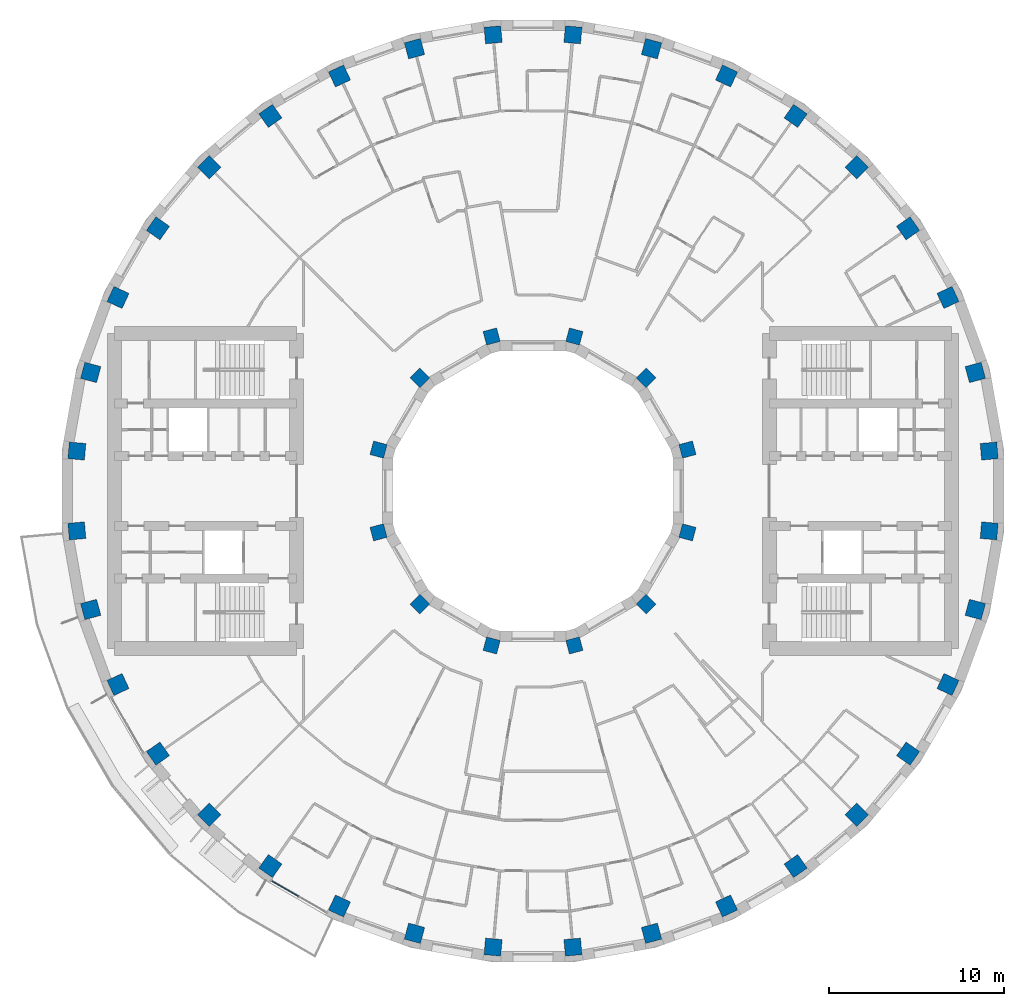
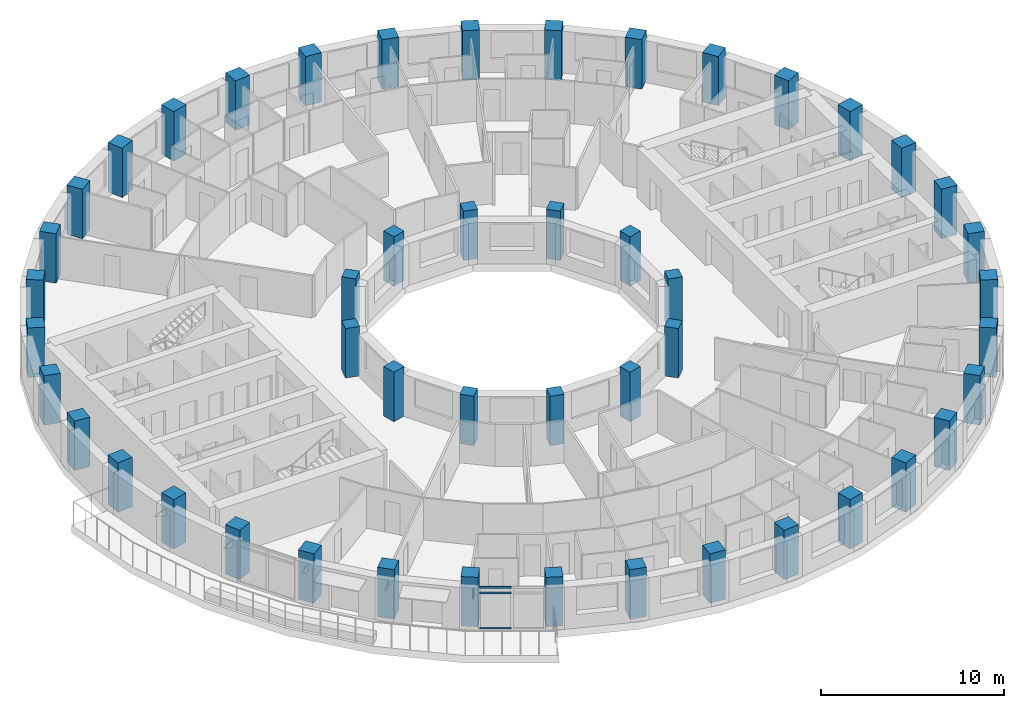
# One storey, part 1 of 16: 48 columns, 3 members, 1 element without a shape of its own.
"""IFC4 building model written with IfcOpenShell, lengths in metres."""

from ifc_helpers import new_model, si_unit, direction, frame, origin, origin_2d, place, context, subcontext, project, spatial, rectangle, extrude, material, layer, layer_set, material_profile, profile_set, type_object, element, aggregate, save


model = new_model("IFC4")

# Units and contexts
model_context = context("Model", 3, precision=1e-05, world=origin(), true_north=direction((0.0, 1.0)))
body_context = subcontext(model_context, "Body", "Model", "MODEL_VIEW")
ifc_project = project(units=[si_unit("LENGTHUNIT", "METRE"), si_unit("AREAUNIT", "SQUARE_METRE"), si_unit("VOLUMEUNIT", "CUBIC_METRE"), si_unit("PLANEANGLEUNIT", "RADIAN"), si_unit("MASSUNIT", "GRAM", prefix="KILO")], contexts=[model_context])

# Site, building, storey
site_placement = place(None, origin())
site = spatial("IfcSite", under=ifc_project, at=site_placement, CompositionType="ELEMENT")
building_placement = place(site_placement, origin())
building = spatial("IfcBuilding", under=site, at=building_placement, Name="Saqina Gate Tower", CompositionType="ELEMENT")
storey_placement = place(building_placement, frame((0.0, 0.0, 121.60009765625)))
storey = spatial("IfcBuildingStorey", under=building, at=storey_placement, Name="L34", CompositionType="ELEMENT", Elevation=121.60009765625)

# Columns
ifc_material_1 = material(Name="Concrete C70/85", Category="concrete")
ifc_material_profile_1 = material_profile(ifc_material_1, rectangle(XDim=0.800048828125, YDim=0.800048828125, at=origin_2d()), Name="RC 800x800")
ifc_profile_set_1 = profile_set([ifc_material_profile_1], Name="Concrete C70/85")
column_type_1 = type_object("IfcColumnType", Name="STR-COL-IN-B", PredefinedType="COLUMN", material=ifc_profile_set_1)
for number, where, z_axis, x_axis, name in (
    (1, (8.821044921875, 2.363525390625, 0.0), (0.0, 0.0, 1.0), (0.965925826289, 0.258819045103, 0.0), "L34-ICL01"),
    (2, (6.45751953125, 6.45751953125, 0.0), (0.0, 0.0, 1.0), (0.707106781187, 0.707106781187, 0.0), "L34-ICL02"),
    (3, (2.363525390625, 8.821044921875, 0.0), (0.0, 0.0, 1.0), (0.258819045103, 0.965925826289, 0.0), "L34-ICL03"),
    (4, (-2.363525390625, 8.821044921875, 0.0), (0.0, 0.0, 1.0), (-0.258819045103, 0.965925826289, 0.0), "L34-ICL04"),
    (5, (-6.45751953125, 6.45751953125, 0.0), (0.0, 0.0, 1.0), (-0.707106781187, 0.707106781187, 0.0), "L34-ICL05"),
    (6, (-8.821044921875, 2.363525390625, 0.0), (0.0, 0.0, 1.0), (-0.965925826289, 0.258819045103, 0.0), "L34-ICL06"),
    (7, (-8.821044921875, -2.363525390625, 0.0), (0.0, 0.0, 1.0), (-0.965925826289, -0.258819045103, 0.0), "L34-ICL07"),
    (8, (-6.45751953125, -6.45751953125, 0.0), (0.0, 0.0, 1.0), (-0.707106781187, -0.707106781187, 0.0), "L34-ICL08"),
    (9, (-2.363525390625, -8.821044921875, 0.0), (0.0, 0.0, 1.0), (-0.258819045103, -0.965925826289, 0.0), "L34-ICL09"),
    (10, (2.363525390625, -8.821044921875, 0.0), (0.0, 0.0, 1.0), (0.258819045103, -0.965925826289, 0.0), "L34-ICL10"),
    (11, (6.45751953125, -6.45751953125, 0.0), (0.0, 0.0, 1.0), (0.707106781187, -0.707106781187, 0.0), "L34-ICL11"),
    (12, (8.821044921875, -2.363525390625, 0.0), (0.0, 0.0, 1.0), (0.965925826289, -0.258819045103, 0.0), "L34-ICL12"),
):
    element("IfcColumn", number, at=place(storey_placement, frame(where, z_axis=z_axis, x_axis=x_axis)), inside=storey, type_object=column_type_1, Name=name, PredefinedType="COLUMN", context=body_context, shape_type="SweptSolid", body=[
        extrude(rectangle(XDim=0.800048828125, YDim=0.800048828125, at=origin_2d()), origin(), (0.0, 0.0, 1.0), 3.2998046875),
    ])
ifc_material_2 = material(Name="Concrete C70/85", Category="concrete")
ifc_material_profile_2 = material_profile(ifc_material_2, rectangle(XDim=0.949951171875, YDim=0.949951171875, at=origin_2d()), Name="RC 950x950")
ifc_profile_set_2 = profile_set([ifc_material_profile_2], Name="Concrete C70/85")
column_type_2 = type_object("IfcColumnType", Name="STR-COL-OUT-B", PredefinedType="COLUMN", material=ifc_profile_set_2)
for number, where, z_axis, x_axis, name in (
    (13, (26.050537109375, 2.279052734375, 0.0), (0.0, 0.0, 1.0), (0.996194698092, 0.087155742748, 0.0), "L34-COL01"),
    (14, (25.259033203125, 6.76806640625, 0.0), (0.0, 0.0, 1.0), (0.965925826289, 0.258819045103, 0.0), "L34-COL02"),
    (15, (23.699951171875, 11.051513671875, 0.0), (0.0, 0.0, 1.0), (0.906307787037, 0.422618261741, 0.0), "L34-COL03"),
    (16, (21.4208984375, 14.9990234375, 0.0), (0.0, 0.0, 1.0), (0.819152044289, 0.573576436351, 0.0), "L34-COL04"),
    (17, (18.49072265625, 18.49072265625, 0.0), (0.0, 0.0, 1.0), (0.707106781187, 0.707106781187, 0.0), "L34-COL05"),
    (18, (14.9990234375, 21.4208984375, 0.0), (0.0, 0.0, 1.0), (0.573576436351, 0.819152044289, 0.0), "L34-COL06"),
    (19, (11.051513671875, 23.699951171875, 0.0), (0.0, 0.0, 1.0), (0.422618261741, 0.906307787037, 0.0), "L34-COL07"),
    (20, (6.76806640625, 25.259033203125, 0.0), (0.0, 0.0, 1.0), (0.258819045103, 0.965925826289, 0.0), "L34-COL08"),
    (21, (2.279052734375, 26.050537109375, 0.0), (0.0, 0.0, 1.0), (0.087155742748, 0.996194698092, 0.0), "L34-COL09"),
    (22, (-2.279052734375, 26.050537109375, 0.0), (0.0, 0.0, 1.0), (-0.087155742748, 0.996194698092, 0.0), "L34-COL10"),
    (23, (-6.76806640625, 25.259033203125, 0.0), (0.0, 0.0, 1.0), (-0.258819045103, 0.965925826289, 0.0), "L34-COL11"),
    (24, (-11.051513671875, 23.699951171875, 0.0), (0.0, 0.0, 1.0), (-0.422618261741, 0.906307787037, 0.0), "L34-COL12"),
    (25, (-14.9990234375, 21.4208984375, 0.0), (0.0, 0.0, 1.0), (-0.573576436351, 0.819152044289, 0.0), "L34-COL13"),
    (26, (-18.49072265625, 18.49072265625, 0.0), (0.0, 0.0, 1.0), (-0.707106781187, 0.707106781187, 0.0), "L34-COL14"),
    (27, (-21.4208984375, 14.9990234375, 0.0), (0.0, 0.0, 1.0), (-0.819152044289, 0.573576436351, 0.0), "L34-COL15"),
    (28, (-23.699951171875, 11.051513671875, 0.0), (0.0, 0.0, 1.0), (-0.906307787037, 0.422618261741, 0.0), "L34-COL16"),
    (29, (-25.259033203125, 6.76806640625, 0.0), (0.0, 0.0, 1.0), (-0.965925826289, 0.258819045103, 0.0), "L34-COL17"),
    (30, (-26.050537109375, 2.279052734375, 0.0), (0.0, 0.0, 1.0), (-0.996194698092, 0.087155742748, 0.0), "L34-COL18"),
    (31, (-26.050537109375, -2.279052734375, 0.0), (0.0, 0.0, 1.0), (-0.996194698092, -0.087155742748, 0.0), "L34-COL19"),
    (32, (-25.259033203125, -6.76806640625, 0.0), (0.0, 0.0, 1.0), (-0.965925826289, -0.258819045103, 0.0), "L34-COL20"),
    (33, (-23.699951171875, -11.051513671875, 0.0), (0.0, 0.0, 1.0), (-0.906307787037, -0.422618261741, 0.0), "L34-COL21"),
    (34, (-21.4208984375, -14.9990234375, 0.0), (0.0, 0.0, 1.0), (-0.819152044289, -0.573576436351, 0.0), "L34-COL22"),
    (35, (-18.49072265625, -18.49072265625, 0.0), (0.0, 0.0, 1.0), (-0.707106781187, -0.707106781187, 0.0), "L34-COL23"),
    (36, (-14.9990234375, -21.4208984375, 0.0), (0.0, 0.0, 1.0), (-0.573576436351, -0.819152044289, 0.0), "L34-COL24"),
    (37, (-11.051513671875, -23.699951171875, 0.0), (0.0, 0.0, 1.0), (-0.422618261741, -0.906307787037, 0.0), "L34-COL25"),
    (38, (-6.76806640625, -25.259033203125, 0.0), (0.0, 0.0, 1.0), (-0.258819045103, -0.965925826289, 0.0), "L34-COL26"),
    (39, (-2.279052734375, -26.050537109375, 0.0), (0.0, 0.0, 1.0), (-0.087155742748, -0.996194698092, 0.0), "L34-COL27"),
    (40, (2.279052734375, -26.050537109375, 0.0), (0.0, 0.0, 1.0), (0.087155742748, -0.996194698092, 0.0), "L34-COL28"),
    (41, (6.76806640625, -25.259033203125, 0.0), (0.0, 0.0, 1.0), (0.258819045103, -0.965925826289, 0.0), "L34-COL29"),
    (42, (11.051513671875, -23.699951171875, 0.0), (0.0, 0.0, 1.0), (0.422618261741, -0.906307787037, 0.0), "L34-COL30"),
    (43, (14.9990234375, -21.4208984375, 0.0), (0.0, 0.0, 1.0), (0.573576436351, -0.819152044289, 0.0), "L34-COL31"),
    (44, (18.49072265625, -18.49072265625, 0.0), (0.0, 0.0, 1.0), (0.707106781187, -0.707106781187, 0.0), "L34-COL32"),
    (45, (21.4208984375, -14.9990234375, 0.0), (0.0, 0.0, 1.0), (0.819152044289, -0.573576436351, 0.0), "L34-COL33"),
    (46, (23.699951171875, -11.051513671875, 0.0), (0.0, 0.0, 1.0), (0.906307787037, -0.422618261741, 0.0), "L34-COL34"),
    (47, (25.259033203125, -6.76806640625, 0.0), (0.0, 0.0, 1.0), (0.965925826289, -0.258819045103, 0.0), "L34-COL35"),
    (48, (26.050537109375, -2.279052734375, 0.0), (0.0, 0.0, 1.0), (0.996194698092, -0.087155742748, 0.0), "L34-COL36"),
):
    element("IfcColumn", number, at=place(storey_placement, frame(where, z_axis=z_axis, x_axis=x_axis)), inside=storey, type_object=column_type_2, Name=name, PredefinedType="COLUMN", context=body_context, shape_type="SweptSolid", body=[
        extrude(rectangle(XDim=0.949951171875, YDim=0.949951171875, at=origin_2d()), origin(), (0.0, 0.0, 1.0), 3.2998046875),
    ])

# Curtain wall, members
ifc_material_3 = material(Name="Aluminium glazing", Category="aluminium")
ifc_layer = layer(ifc_material_3, 0.159912109375)
ifc_layer_set = layer_set([ifc_layer], Name="CWT-4")
curtain_wall_type = type_object("IfcCurtainWallType", Name="CWT-4", PredefinedType="NOTDEFINED", material=ifc_layer_set)
curtain_wall_placement = place(storey_placement, origin())
curtain_wall = element("IfcCurtainWall", 49, at=curtain_wall_placement, inside=storey, type_object=curtain_wall_type, Name="Terrace lounge glazing facet 24", PredefinedType="NOTDEFINED")
ifc_material_4 = material(Name="Aluminium", Category="aluminium")
ifc_material_profile_3 = material_profile(ifc_material_4, rectangle(XDim=0.06005859375, YDim=0.1201171875, at=origin_2d()), Name="Aluminium 60x120")
ifc_profile_set_3 = profile_set([ifc_material_profile_3], Name="Aluminium")
member_type = type_object("IfcMemberType", Name="CWT-4T", PredefinedType="USERDEFINED", material=ifc_profile_set_3)
member_1_placement = place(storey_placement, frame((-14.901123046875, -22.281982421875, 0.02978515625), z_axis=(0.866007364299, -0.500031244004, 0.0), x_axis=(0.500031244004, 0.866007364299, 0.0)))
member_1 = element("IfcMember", 50, at=member_1_placement, type_object=member_type, Name="CW4-24 transom 1.1", ObjectType="TRANSOM", PredefinedType="USERDEFINED", context=body_context, shape_type="SweptSolid", body=[
    extrude(rectangle(XDim=0.06005859375, YDim=0.1201171875, at=origin_2d()), origin(), (0.0, 0.0, 1.0), 1.73388671875),
])
member_2_placement = place(storey_placement, frame((-14.901123046875, -22.281982421875, 2.39990234375), z_axis=(0.866007364299, -0.500031244004, 0.0), x_axis=(0.500031244004, 0.866007364299, 0.0)))
member_2 = element("IfcMember", 51, at=member_2_placement, type_object=member_type, Name="CW4-24 transom 1.2", ObjectType="TRANSOM", PredefinedType="USERDEFINED", context=body_context, shape_type="SweptSolid", body=[
    extrude(rectangle(XDim=0.06005859375, YDim=0.1201171875, at=origin_2d()), origin(), (0.0, 0.0, 1.0), 1.73388671875),
])
member_3_placement = place(storey_placement, frame((-14.901123046875, -22.281982421875, 2.77001953125), z_axis=(0.866007364299, -0.500031244004, 0.0), x_axis=(0.500031244004, 0.866007364299, 0.0)))
member_3 = element("IfcMember", 52, at=member_3_placement, type_object=member_type, Name="CW4-24 transom 1.3", ObjectType="TRANSOM", PredefinedType="USERDEFINED", context=body_context, shape_type="SweptSolid", body=[
    extrude(rectangle(XDim=0.06005859375, YDim=0.1201171875, at=origin_2d()), origin(), (0.0, 0.0, 1.0), 1.73388671875),
])
aggregate(curtain_wall, [member_1, member_2, member_3])

save(model, "model.ifc")
